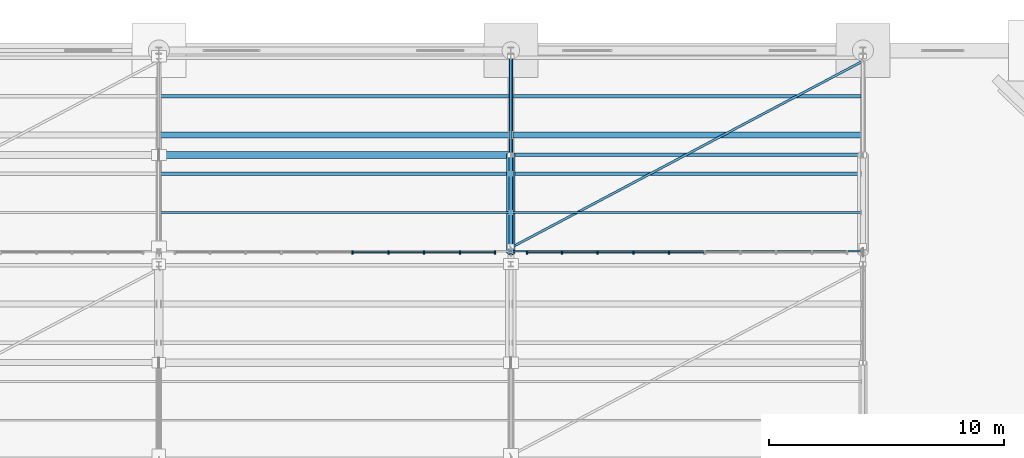
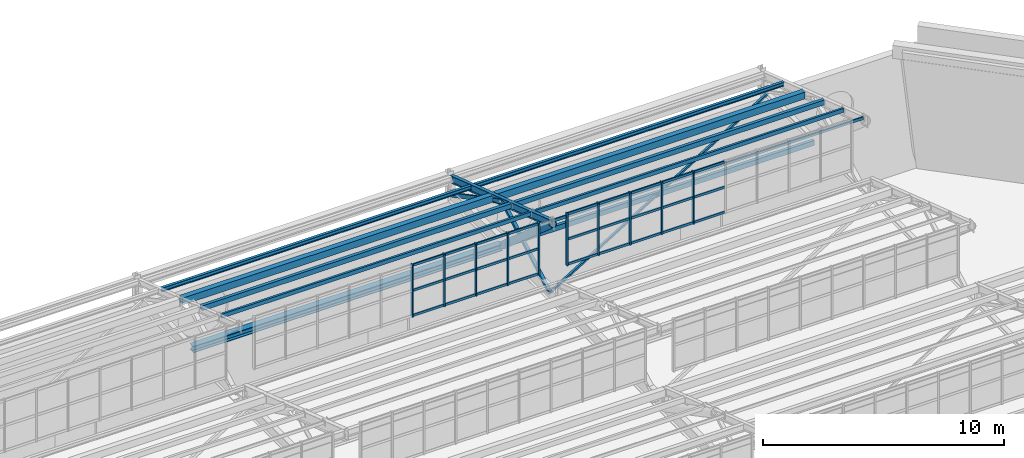
# One storey, part 137 of 285: 43 members, 10 beams, 2 elements without a shape of their own.
"""IFC4 building model written with IfcOpenShell, lengths in metres."""

from ifc_helpers import new_model, si_unit, direction, frame, origin, origin_2d, place, context, subcontext, project, spatial, rectangle, hollow_rectangle, hollow_circle, i_section, extrude, material, material_profile, profile_set, type_object, element, aggregate, save


model = new_model("IFC4")

# Units and contexts
model_context = context("Model", 3, precision=1e-05, world=origin(), true_north=direction((0.0, 1.0)))
body_context = subcontext(model_context, "Body", "Model", "MODEL_VIEW")
ifc_project = project(units=[si_unit("LENGTHUNIT", "METRE"), si_unit("AREAUNIT", "SQUARE_METRE"), si_unit("VOLUMEUNIT", "CUBIC_METRE"), si_unit("PLANEANGLEUNIT", "RADIAN"), si_unit("MASSUNIT", "GRAM", prefix="KILO")], contexts=[model_context])

# Site, building, storey
site_placement = place(None, origin())
site = spatial("IfcSite", under=ifc_project, at=site_placement, CompositionType="ELEMENT")
building_placement = place(site_placement, origin())
building = spatial("IfcBuilding", under=site, at=building_placement, Name="Solanera Park Tramway Depot", CompositionType="ELEMENT")
storey_placement = place(building_placement, origin())
storey = spatial("IfcBuildingStorey", under=building, at=storey_placement, Name="L00", CompositionType="ELEMENT", Elevation=0.0)

# Curtain wall, members
ifc_material_1 = material(Name="Bronze-anodised thermally broken aluminium curtain wall", Category="aluminium")
curtain_wall_type = type_object("IfcCurtainWallType", Name="Sawtooth Clerestory Monitor Curtain Wall", PredefinedType="NOTDEFINED", material=ifc_material_1)
curtain_wall_1_placement = place(storey_placement, origin())
curtain_wall_1 = element("IfcCurtainWall", 1, at=curtain_wall_1_placement, inside=storey, type_object=curtain_wall_type, Name="L00 Sawtooth Clerestory Monitor Curtain Wall #070", PredefinedType="NOTDEFINED")
ifc_material_2 = material(Name="Bronze-anodised structural aluminium 6063-T6", Category="aluminium")
ifc_material_profile_1 = material_profile(ifc_material_2, rectangle(XDim=0.06494140625, YDim=0.14990234375, at=origin_2d()), Name="Curtain Wall Mullion 65x150")
ifc_profile_set_1 = profile_set([ifc_material_profile_1], Name="Bronze-anodised structural aluminium 6063-T6")
member_type_1 = type_object("IfcMemberType", Name="Curtain Wall Mullion 65x150", PredefinedType="MULLION", material=ifc_profile_set_1)
member_1_placement = place(storey_placement, frame((113.260986328125, 135.39990234375, 7.75), z_axis=(0.0, 0.0, 1.0), x_axis=(1.0, 0.0, 0.0)))
member_1 = element("IfcMember", 2, at=member_1_placement, type_object=member_type_1, Name="CW-L00-070 Mullion 6", PredefinedType="MULLION", context=body_context, shape_type="SweptSolid", body=[
    extrude(rectangle(XDim=0.06494140625, YDim=0.14990234375, at=origin_2d()), origin(), (0.0, 0.0, 1.0), 2.6611328125),
])
member_2_placement = place(storey_placement, frame((114.783203125, 135.39990234375, 7.75), z_axis=(0.0, 0.0, 1.0), x_axis=(1.0, 0.0, 0.0)))
member_2 = element("IfcMember", 3, at=member_2_placement, type_object=member_type_1, Name="CW-L00-070 Mullion 7", PredefinedType="MULLION", context=body_context, shape_type="SweptSolid", body=[
    extrude(rectangle(XDim=0.06494140625, YDim=0.14990234375, at=origin_2d()), origin(), (0.0, 0.0, 1.0), 2.6611328125),
])
member_3_placement = place(storey_placement, frame((116.3056640625, 135.39990234375, 7.75), z_axis=(0.0, 0.0, 1.0), x_axis=(1.0, 0.0, 0.0)))
member_3 = element("IfcMember", 4, at=member_3_placement, type_object=member_type_1, Name="CW-L00-070 Mullion 8", PredefinedType="MULLION", context=body_context, shape_type="SweptSolid", body=[
    extrude(rectangle(XDim=0.06494140625, YDim=0.14990234375, at=origin_2d()), origin(), (0.0, 0.0, 1.0), 2.6611328125),
])
member_4_placement = place(storey_placement, frame((117.827880859375, 135.39990234375, 7.75), z_axis=(0.0, 0.0, 1.0), x_axis=(1.0, 0.0, 0.0)))
member_4 = element("IfcMember", 5, at=member_4_placement, type_object=member_type_1, Name="CW-L00-070 Mullion 9", PredefinedType="MULLION", context=body_context, shape_type="SweptSolid", body=[
    extrude(rectangle(XDim=0.06494140625, YDim=0.14990234375, at=origin_2d()), origin(), (0.0, 0.0, 1.0), 2.6611328125),
])
member_5_placement = place(storey_placement, frame((119.3173828125, 135.39990234375, 7.75), z_axis=(0.0, 0.0, 1.0), x_axis=(1.0, 0.0, 0.0)))
member_5 = element("IfcMember", 6, at=member_5_placement, type_object=member_type_1, Name="CW-L00-070 Mullion 10", PredefinedType="MULLION", context=body_context, shape_type="SweptSolid", body=[
    extrude(rectangle(XDim=0.06494140625, YDim=0.14990234375, at=origin_2d()), origin(), (0.0, 0.0, 1.0), 2.6611328125),
])

curtain_wall_2_placement = place(storey_placement, origin())
curtain_wall_2 = element("IfcCurtainWall", 7, at=curtain_wall_2_placement, inside=storey, type_object=curtain_wall_type, Name="L00 Sawtooth Clerestory Monitor Curtain Wall #071", PredefinedType="NOTDEFINED")
member_6_placement = place(storey_placement, frame((120.6826171875, 135.39990234375, 7.75), z_axis=(0.0, 0.0, 1.0), x_axis=(1.0, 0.0, 0.0)))
member_6 = element("IfcMember", 8, at=member_6_placement, type_object=member_type_1, Name="CW-L00-071 Mullion 1", PredefinedType="MULLION", context=body_context, shape_type="SweptSolid", body=[
    extrude(rectangle(XDim=0.06494140625, YDim=0.14990234375, at=origin_2d()), origin(), (0.0, 0.0, 1.0), 2.6611328125),
])
member_7_placement = place(storey_placement, frame((122.172119140625, 135.39990234375, 7.75), z_axis=(0.0, 0.0, 1.0), x_axis=(1.0, 0.0, 0.0)))
member_7 = element("IfcMember", 9, at=member_7_placement, type_object=member_type_1, Name="CW-L00-071 Mullion 2", PredefinedType="MULLION", context=body_context, shape_type="SweptSolid", body=[
    extrude(rectangle(XDim=0.06494140625, YDim=0.14990234375, at=origin_2d()), origin(), (0.0, 0.0, 1.0), 2.6611328125),
])
member_8_placement = place(storey_placement, frame((123.6943359375, 135.39990234375, 7.75), z_axis=(0.0, 0.0, 1.0), x_axis=(1.0, 0.0, 0.0)))
member_8 = element("IfcMember", 10, at=member_8_placement, type_object=member_type_1, Name="CW-L00-071 Mullion 3", PredefinedType="MULLION", context=body_context, shape_type="SweptSolid", body=[
    extrude(rectangle(XDim=0.06494140625, YDim=0.14990234375, at=origin_2d()), origin(), (0.0, 0.0, 1.0), 2.6611328125),
])
member_9_placement = place(storey_placement, frame((125.216796875, 135.39990234375, 7.75), z_axis=(0.0, 0.0, 1.0), x_axis=(1.0, 0.0, 0.0)))
member_9 = element("IfcMember", 11, at=member_9_placement, type_object=member_type_1, Name="CW-L00-071 Mullion 4", PredefinedType="MULLION", context=body_context, shape_type="SweptSolid", body=[
    extrude(rectangle(XDim=0.06494140625, YDim=0.14990234375, at=origin_2d()), origin(), (0.0, 0.0, 1.0), 2.6611328125),
])
member_10_placement = place(storey_placement, frame((126.739013671875, 135.39990234375, 7.75), z_axis=(0.0, 0.0, 1.0), x_axis=(1.0, 0.0, 0.0)))
member_10 = element("IfcMember", 12, at=member_10_placement, type_object=member_type_1, Name="CW-L00-071 Mullion 5", PredefinedType="MULLION", context=body_context, shape_type="SweptSolid", body=[
    extrude(rectangle(XDim=0.06494140625, YDim=0.14990234375, at=origin_2d()), origin(), (0.0, 0.0, 1.0), 2.6611328125),
])

# Member
ifc_material_3 = material(Name="Bronze-anodised structural aluminium 6063-T6", Category="aluminium")
ifc_material_profile_2 = material_profile(ifc_material_3, rectangle(XDim=0.06494140625, YDim=0.1201171875, at=origin_2d()), Name="Curtain Wall Transom 65x120")
ifc_profile_set_2 = profile_set([ifc_material_profile_2], Name="Bronze-anodised structural aluminium 6063-T6")
member_type_2 = type_object("IfcMemberType", Name="Curtain Wall Transom 65x120", PredefinedType="USERDEFINED", material=ifc_profile_set_2)
member_11_placement = place(storey_placement, frame((113.2890625, 135.39990234375, 7.81005859375), z_axis=(1.0, 0.0, 0.0), x_axis=(0.0, 1.0, 0.0)))
member_11 = element("IfcMember", 13, at=member_11_placement, type_object=member_type_2, Name="CW-L00-070 Transom R1.C6", ObjectType="TRANSOM", PredefinedType="USERDEFINED", context=body_context, shape_type="SweptSolid", body=[
    extrude(rectangle(XDim=0.06494140625, YDim=0.1201171875, at=origin_2d()), origin(), (0.0, 0.0, 1.0), 1.46630859375),
])

member_12_placement = place(storey_placement, frame((114.811279296875, 135.39990234375, 7.81005859375), z_axis=(1.0, 0.0, 0.0), x_axis=(0.0, 1.0, 0.0)))
member_12 = element("IfcMember", 14, at=member_12_placement, type_object=member_type_2, Name="CW-L00-070 Transom R1.C7", ObjectType="TRANSOM", PredefinedType="USERDEFINED", context=body_context, shape_type="SweptSolid", body=[
    extrude(rectangle(XDim=0.06494140625, YDim=0.1201171875, at=origin_2d()), origin(), (0.0, 0.0, 1.0), 1.46630859375),
])

member_13_placement = place(storey_placement, frame((116.33349609375, 135.39990234375, 7.81005859375), z_axis=(1.0, 0.0, 0.0), x_axis=(0.0, 1.0, 0.0)))
member_13 = element("IfcMember", 15, at=member_13_placement, type_object=member_type_2, Name="CW-L00-070 Transom R1.C8", ObjectType="TRANSOM", PredefinedType="USERDEFINED", context=body_context, shape_type="SweptSolid", body=[
    extrude(rectangle(XDim=0.06494140625, YDim=0.1201171875, at=origin_2d()), origin(), (0.0, 0.0, 1.0), 1.46630859375),
])

member_14_placement = place(storey_placement, frame((117.855712890625, 135.39990234375, 7.81005859375), z_axis=(1.0, 0.0, 0.0), x_axis=(0.0, 1.0, 0.0)))
member_14 = element("IfcMember", 16, at=member_14_placement, type_object=member_type_2, Name="CW-L00-070 Transom R1.C9", ObjectType="TRANSOM", PredefinedType="USERDEFINED", context=body_context, shape_type="SweptSolid", body=[
    extrude(rectangle(XDim=0.06494140625, YDim=0.1201171875, at=origin_2d()), origin(), (0.0, 0.0, 1.0), 1.433837890625),
])

member_15_placement = place(storey_placement, frame((113.2890625, 135.39990234375, 9.08056640625), z_axis=(1.0, 0.0, 0.0), x_axis=(0.0, 1.0, 0.0)))
member_15 = element("IfcMember", 17, at=member_15_placement, type_object=member_type_2, Name="CW-L00-070 Transom R2.C6", ObjectType="TRANSOM", PredefinedType="USERDEFINED", context=body_context, shape_type="SweptSolid", body=[
    extrude(rectangle(XDim=0.06494140625, YDim=0.1201171875, at=origin_2d()), origin(), (0.0, 0.0, 1.0), 1.46630859375),
])

member_16_placement = place(storey_placement, frame((114.811279296875, 135.39990234375, 9.08056640625), z_axis=(1.0, 0.0, 0.0), x_axis=(0.0, 1.0, 0.0)))
member_16 = element("IfcMember", 18, at=member_16_placement, type_object=member_type_2, Name="CW-L00-070 Transom R2.C7", ObjectType="TRANSOM", PredefinedType="USERDEFINED", context=body_context, shape_type="SweptSolid", body=[
    extrude(rectangle(XDim=0.06494140625, YDim=0.1201171875, at=origin_2d()), origin(), (0.0, 0.0, 1.0), 1.46630859375),
])

member_17_placement = place(storey_placement, frame((116.33349609375, 135.39990234375, 9.08056640625), z_axis=(1.0, 0.0, 0.0), x_axis=(0.0, 1.0, 0.0)))
member_17 = element("IfcMember", 19, at=member_17_placement, type_object=member_type_2, Name="CW-L00-070 Transom R2.C8", ObjectType="TRANSOM", PredefinedType="USERDEFINED", context=body_context, shape_type="SweptSolid", body=[
    extrude(rectangle(XDim=0.06494140625, YDim=0.1201171875, at=origin_2d()), origin(), (0.0, 0.0, 1.0), 1.46630859375),
])

member_18_placement = place(storey_placement, frame((117.855712890625, 135.39990234375, 9.08056640625), z_axis=(1.0, 0.0, 0.0), x_axis=(0.0, 1.0, 0.0)))
member_18 = element("IfcMember", 20, at=member_18_placement, type_object=member_type_2, Name="CW-L00-070 Transom R2.C9", ObjectType="TRANSOM", PredefinedType="USERDEFINED", context=body_context, shape_type="SweptSolid", body=[
    extrude(rectangle(XDim=0.06494140625, YDim=0.1201171875, at=origin_2d()), origin(), (0.0, 0.0, 1.0), 1.433837890625),
])

member_19_placement = place(storey_placement, frame((113.2890625, 135.39990234375, 10.351318359375), z_axis=(1.0, 0.0, 0.0), x_axis=(0.0, 1.0, 0.0)))
member_19 = element("IfcMember", 21, at=member_19_placement, type_object=member_type_2, Name="CW-L00-070 Transom R3.C6", ObjectType="TRANSOM", PredefinedType="USERDEFINED", context=body_context, shape_type="SweptSolid", body=[
    extrude(rectangle(XDim=0.06494140625, YDim=0.1201171875, at=origin_2d()), origin(), (0.0, 0.0, 1.0), 1.46630859375),
])

member_20_placement = place(storey_placement, frame((114.811279296875, 135.39990234375, 10.351318359375), z_axis=(1.0, 0.0, 0.0), x_axis=(0.0, 1.0, 0.0)))
member_20 = element("IfcMember", 22, at=member_20_placement, type_object=member_type_2, Name="CW-L00-070 Transom R3.C7", ObjectType="TRANSOM", PredefinedType="USERDEFINED", context=body_context, shape_type="SweptSolid", body=[
    extrude(rectangle(XDim=0.06494140625, YDim=0.1201171875, at=origin_2d()), origin(), (0.0, 0.0, 1.0), 1.46630859375),
])

member_21_placement = place(storey_placement, frame((116.33349609375, 135.39990234375, 10.351318359375), z_axis=(1.0, 0.0, 0.0), x_axis=(0.0, 1.0, 0.0)))
member_21 = element("IfcMember", 23, at=member_21_placement, type_object=member_type_2, Name="CW-L00-070 Transom R3.C8", ObjectType="TRANSOM", PredefinedType="USERDEFINED", context=body_context, shape_type="SweptSolid", body=[
    extrude(rectangle(XDim=0.06494140625, YDim=0.1201171875, at=origin_2d()), origin(), (0.0, 0.0, 1.0), 1.46630859375),
])

member_22_placement = place(storey_placement, frame((117.855712890625, 135.39990234375, 10.351318359375), z_axis=(1.0, 0.0, 0.0), x_axis=(0.0, 1.0, 0.0)))
member_22 = element("IfcMember", 24, at=member_22_placement, type_object=member_type_2, Name="CW-L00-070 Transom R3.C9", ObjectType="TRANSOM", PredefinedType="USERDEFINED", context=body_context, shape_type="SweptSolid", body=[
    extrude(rectangle(XDim=0.06494140625, YDim=0.1201171875, at=origin_2d()), origin(), (0.0, 0.0, 1.0), 1.433837890625),
])

aggregate(curtain_wall_1, [member_1, member_2, member_3, member_4, member_5, member_11, member_12, member_13, member_14, member_15, member_16, member_17, member_18, member_19, member_20, member_21, member_22])

member_23_placement = place(storey_placement, frame((120.71044921875, 135.39990234375, 7.81005859375), z_axis=(1.0, 0.0, 0.0), x_axis=(0.0, 1.0, 0.0)))
member_23 = element("IfcMember", 25, at=member_23_placement, type_object=member_type_2, Name="CW-L00-071 Transom R1.C1", ObjectType="TRANSOM", PredefinedType="USERDEFINED", context=body_context, shape_type="SweptSolid", body=[
    extrude(rectangle(XDim=0.06494140625, YDim=0.1201171875, at=origin_2d()), origin(), (0.0, 0.0, 1.0), 1.433837890625),
])

member_24_placement = place(storey_placement, frame((122.2001953125, 135.39990234375, 7.81005859375), z_axis=(1.0, 0.0, 0.0), x_axis=(0.0, 1.0, 0.0)))
member_24 = element("IfcMember", 26, at=member_24_placement, type_object=member_type_2, Name="CW-L00-071 Transom R1.C2", ObjectType="TRANSOM", PredefinedType="USERDEFINED", context=body_context, shape_type="SweptSolid", body=[
    extrude(rectangle(XDim=0.06494140625, YDim=0.1201171875, at=origin_2d()), origin(), (0.0, 0.0, 1.0), 1.46630859375),
])

member_25_placement = place(storey_placement, frame((123.722412109375, 135.39990234375, 7.81005859375), z_axis=(1.0, 0.0, 0.0), x_axis=(0.0, 1.0, 0.0)))
member_25 = element("IfcMember", 27, at=member_25_placement, type_object=member_type_2, Name="CW-L00-071 Transom R1.C3", ObjectType="TRANSOM", PredefinedType="USERDEFINED", context=body_context, shape_type="SweptSolid", body=[
    extrude(rectangle(XDim=0.06494140625, YDim=0.1201171875, at=origin_2d()), origin(), (0.0, 0.0, 1.0), 1.46630859375),
])

member_26_placement = place(storey_placement, frame((125.24462890625, 135.39990234375, 7.81005859375), z_axis=(1.0, 0.0, 0.0), x_axis=(0.0, 1.0, 0.0)))
member_26 = element("IfcMember", 28, at=member_26_placement, type_object=member_type_2, Name="CW-L00-071 Transom R1.C4", ObjectType="TRANSOM", PredefinedType="USERDEFINED", context=body_context, shape_type="SweptSolid", body=[
    extrude(rectangle(XDim=0.06494140625, YDim=0.1201171875, at=origin_2d()), origin(), (0.0, 0.0, 1.0), 1.46630859375),
])

member_27_placement = place(storey_placement, frame((126.766845703125, 135.39990234375, 7.81005859375), z_axis=(1.0, 0.0, 0.0), x_axis=(0.0, 1.0, 0.0)))
member_27 = element("IfcMember", 29, at=member_27_placement, type_object=member_type_2, Name="CW-L00-071 Transom R1.C5", ObjectType="TRANSOM", PredefinedType="USERDEFINED", context=body_context, shape_type="SweptSolid", body=[
    extrude(rectangle(XDim=0.06494140625, YDim=0.1201171875, at=origin_2d()), origin(), (0.0, 0.0, 1.0), 1.46630859375),
])

member_28_placement = place(storey_placement, frame((120.71044921875, 135.39990234375, 9.08056640625), z_axis=(1.0, 0.0, 0.0), x_axis=(0.0, 1.0, 0.0)))
member_28 = element("IfcMember", 30, at=member_28_placement, type_object=member_type_2, Name="CW-L00-071 Transom R2.C1", ObjectType="TRANSOM", PredefinedType="USERDEFINED", context=body_context, shape_type="SweptSolid", body=[
    extrude(rectangle(XDim=0.06494140625, YDim=0.1201171875, at=origin_2d()), origin(), (0.0, 0.0, 1.0), 1.433837890625),
])

member_29_placement = place(storey_placement, frame((122.2001953125, 135.39990234375, 9.08056640625), z_axis=(1.0, 0.0, 0.0), x_axis=(0.0, 1.0, 0.0)))
member_29 = element("IfcMember", 31, at=member_29_placement, type_object=member_type_2, Name="CW-L00-071 Transom R2.C2", ObjectType="TRANSOM", PredefinedType="USERDEFINED", context=body_context, shape_type="SweptSolid", body=[
    extrude(rectangle(XDim=0.06494140625, YDim=0.1201171875, at=origin_2d()), origin(), (0.0, 0.0, 1.0), 1.46630859375),
])

member_30_placement = place(storey_placement, frame((123.722412109375, 135.39990234375, 9.08056640625), z_axis=(1.0, 0.0, 0.0), x_axis=(0.0, 1.0, 0.0)))
member_30 = element("IfcMember", 32, at=member_30_placement, type_object=member_type_2, Name="CW-L00-071 Transom R2.C3", ObjectType="TRANSOM", PredefinedType="USERDEFINED", context=body_context, shape_type="SweptSolid", body=[
    extrude(rectangle(XDim=0.06494140625, YDim=0.1201171875, at=origin_2d()), origin(), (0.0, 0.0, 1.0), 1.46630859375),
])

member_31_placement = place(storey_placement, frame((125.24462890625, 135.39990234375, 9.08056640625), z_axis=(1.0, 0.0, 0.0), x_axis=(0.0, 1.0, 0.0)))
member_31 = element("IfcMember", 33, at=member_31_placement, type_object=member_type_2, Name="CW-L00-071 Transom R2.C4", ObjectType="TRANSOM", PredefinedType="USERDEFINED", context=body_context, shape_type="SweptSolid", body=[
    extrude(rectangle(XDim=0.06494140625, YDim=0.1201171875, at=origin_2d()), origin(), (0.0, 0.0, 1.0), 1.46630859375),
])

member_32_placement = place(storey_placement, frame((126.766845703125, 135.39990234375, 9.08056640625), z_axis=(1.0, 0.0, 0.0), x_axis=(0.0, 1.0, 0.0)))
member_32 = element("IfcMember", 34, at=member_32_placement, type_object=member_type_2, Name="CW-L00-071 Transom R2.C5", ObjectType="TRANSOM", PredefinedType="USERDEFINED", context=body_context, shape_type="SweptSolid", body=[
    extrude(rectangle(XDim=0.06494140625, YDim=0.1201171875, at=origin_2d()), origin(), (0.0, 0.0, 1.0), 1.46630859375),
])

member_33_placement = place(storey_placement, frame((120.71044921875, 135.39990234375, 10.351318359375), z_axis=(1.0, 0.0, 0.0), x_axis=(0.0, 1.0, 0.0)))
member_33 = element("IfcMember", 35, at=member_33_placement, type_object=member_type_2, Name="CW-L00-071 Transom R3.C1", ObjectType="TRANSOM", PredefinedType="USERDEFINED", context=body_context, shape_type="SweptSolid", body=[
    extrude(rectangle(XDim=0.06494140625, YDim=0.1201171875, at=origin_2d()), origin(), (0.0, 0.0, 1.0), 1.433837890625),
])

member_34_placement = place(storey_placement, frame((122.2001953125, 135.39990234375, 10.351318359375), z_axis=(1.0, 0.0, 0.0), x_axis=(0.0, 1.0, 0.0)))
member_34 = element("IfcMember", 36, at=member_34_placement, type_object=member_type_2, Name="CW-L00-071 Transom R3.C2", ObjectType="TRANSOM", PredefinedType="USERDEFINED", context=body_context, shape_type="SweptSolid", body=[
    extrude(rectangle(XDim=0.06494140625, YDim=0.1201171875, at=origin_2d()), origin(), (0.0, 0.0, 1.0), 1.46630859375),
])

member_35_placement = place(storey_placement, frame((123.722412109375, 135.39990234375, 10.351318359375), z_axis=(1.0, 0.0, 0.0), x_axis=(0.0, 1.0, 0.0)))
member_35 = element("IfcMember", 37, at=member_35_placement, type_object=member_type_2, Name="CW-L00-071 Transom R3.C3", ObjectType="TRANSOM", PredefinedType="USERDEFINED", context=body_context, shape_type="SweptSolid", body=[
    extrude(rectangle(XDim=0.06494140625, YDim=0.1201171875, at=origin_2d()), origin(), (0.0, 0.0, 1.0), 1.46630859375),
])

member_36_placement = place(storey_placement, frame((125.24462890625, 135.39990234375, 10.351318359375), z_axis=(1.0, 0.0, 0.0), x_axis=(0.0, 1.0, 0.0)))
member_36 = element("IfcMember", 38, at=member_36_placement, type_object=member_type_2, Name="CW-L00-071 Transom R3.C4", ObjectType="TRANSOM", PredefinedType="USERDEFINED", context=body_context, shape_type="SweptSolid", body=[
    extrude(rectangle(XDim=0.06494140625, YDim=0.1201171875, at=origin_2d()), origin(), (0.0, 0.0, 1.0), 1.46630859375),
])

member_37_placement = place(storey_placement, frame((126.766845703125, 135.39990234375, 10.351318359375), z_axis=(1.0, 0.0, 0.0), x_axis=(0.0, 1.0, 0.0)))
member_37 = element("IfcMember", 39, at=member_37_placement, type_object=member_type_2, Name="CW-L00-071 Transom R3.C5", ObjectType="TRANSOM", PredefinedType="USERDEFINED", context=body_context, shape_type="SweptSolid", body=[
    extrude(rectangle(XDim=0.06494140625, YDim=0.1201171875, at=origin_2d()), origin(), (0.0, 0.0, 1.0), 1.46630859375),
])

aggregate(curtain_wall_2, [member_6, member_7, member_8, member_9, member_10, member_23, member_24, member_25, member_26, member_27, member_28, member_29, member_30, member_31, member_32, member_33, member_34, member_35, member_36, member_37])

# Members
ifc_material_4 = material(Name="Steel AS/NZS 1163 Grade C350L0", Category="steel")
ifc_material_profile_3 = material_profile(ifc_material_4, hollow_rectangle(XDim=0.14990234375, YDim=0.14990234375, WallThickness=0.006103515625, at=origin_2d()), Name="150x150x6.0 SHS")
ifc_profile_set_3 = profile_set([ifc_material_profile_3], Name="Steel AS/NZS 1163 Grade C350L0")
member_type_3 = type_object("IfcMemberType", Name="Roof Gantry Compression Strut 150x150x6.0 SHS", PredefinedType="STRUT", material=ifc_profile_set_3)
member_38_placement = place(storey_placement, frame((120.0, 135.64990234375, 6.5), z_axis=(0.0, 0.869215843308, 0.494432824297), x_axis=(-1.0, 0.0, 0.0)))
element("IfcMember", 40, at=member_38_placement, inside=storey, type_object=member_type_3, Name="Sawtooth ROOF TRUSS Strut 150x150x6.0 SHS #0421", PredefinedType="STRUT", context=body_context, shape_type="SweptSolid", body=[
    extrude(hollow_rectangle(XDim=0.14990234375, YDim=0.14990234375, WallThickness=0.006103515625, at=origin_2d()), origin(), (0.0, 0.0, 1.0), 4.487060546875),
])
ifc_material_5 = material(Name="Steel AS/NZS 1163 Grade C350L0", Category="steel")
ifc_material_profile_4 = material_profile(ifc_material_5, hollow_rectangle(XDim=0.14990234375, YDim=0.25, WallThickness=0.008056640625, at=origin_2d()), Name="250x150x8.0 RHS")
ifc_profile_set_4 = profile_set([ifc_material_profile_4], Name="Steel AS/NZS 1163 Grade C350L0")
member_type_4 = type_object("IfcMemberType", Name="Secondary Truss Chord 250x150x8.0 RHS", PredefinedType="CHORD", material=ifc_profile_set_4)
member_39_placement = place(storey_placement, frame((120.087890625, 139.550048828125, 6.5), z_axis=(1.0, 0.0, 0.0), x_axis=(0.0, 1.0, 0.0)))
element("IfcMember", 41, at=member_39_placement, inside=storey, type_object=member_type_4, Name="Sawtooth Longitudinal Tie Chord 250x150x8.0 RHS #0433", PredefinedType="CHORD", context=body_context, shape_type="SweptSolid", body=[
    extrude(hollow_rectangle(XDim=0.14990234375, YDim=0.25, WallThickness=0.008056640625, at=origin_2d()), origin(), (0.0, 0.0, 1.0), 14.82421875),
])
ifc_material_6 = material(Name="Steel AS/NZS 3679.1 Grade 350", Category="steel")
ifc_material_profile_5 = material_profile(ifc_material_6, i_section(OverallWidth=0.310546875, OverallDepth=0.3271484375, WebThickness=0.015625, FlangeThickness=0.02490234375, at=origin_2d()), Name="310UC158")
ifc_profile_set_5 = profile_set([ifc_material_profile_5], Name="Steel AS/NZS 3679.1 Grade 350")
member_type_5 = type_object("IfcMemberType", Name="Secondary Truss Chord 310UC158", PredefinedType="CHORD", material=ifc_profile_set_5)
member_40_placement = place(storey_placement, frame((105.087890625, 139.550048828125, 6.5), z_axis=(1.0, 0.0, 0.0), x_axis=(0.0, 1.0, 0.0)))
element("IfcMember", 42, at=member_40_placement, inside=storey, type_object=member_type_5, Name="Sawtooth Longitudinal Tie Chord 310UC158 #0432", PredefinedType="CHORD", context=body_context, shape_type="SweptSolid", body=[
    extrude(i_section(OverallWidth=0.310546875, OverallDepth=0.3271484375, WebThickness=0.015625, FlangeThickness=0.02490234375, at=origin_2d()), origin(), (0.0, 0.0, 1.0), 14.82421875),
])

# Beams
ifc_material_7 = material(Name="Steel AS/NZS 3679.1 Grade 350", Category="steel")
ifc_material_profile_6 = material_profile(ifc_material_7, i_section(OverallWidth=0.17138671875, OverallDepth=0.355712890625, WebThickness=0.00732421875, FlangeThickness=0.011474609375, at=origin_2d()), Name="360UB50.7")
ifc_profile_set_6 = profile_set([ifc_material_profile_6], Name="Steel AS/NZS 3679.1 Grade 350")
beam_type_1 = type_object("IfcBeamType", Name="Steel Beam 360UB50.7", PredefinedType="BEAM", material=ifc_profile_set_6)
beam_1_placement = place(storey_placement, frame((120.0, 135.39990234375, 10.10693359375), z_axis=(0.0, 0.948322229475, -0.317308917435), x_axis=(-1.0, 0.0, 0.0)))
element("IfcBeam", 43, at=beam_1_placement, inside=storey, type_object=beam_type_1, Name="Sawtooth ROOF TRUSS Top Rafter 360UB50.7 B10-T7", PredefinedType="BEAM", context=body_context, shape_type="SweptSolid", body=[
    extrude(i_section(OverallWidth=0.17138671875, OverallDepth=0.355712890625, WebThickness=0.00732421875, FlangeThickness=0.011474609375, at=origin_2d()), origin(), (0.0, 0.0, 1.0), 8.80517578125),
])
ifc_material_8 = material(Name="Steel AS/NZS 1163 Grade C350L0", Category="steel")
ifc_material_profile_7 = material_profile(ifc_material_8, hollow_rectangle(XDim=0.050048828125, YDim=0.14990234375, WallThickness=0.0048828125, at=origin_2d()), Name="150x50x5.0 RHS")
ifc_profile_set_7 = profile_set([ifc_material_profile_7], Name="Steel AS/NZS 1163 Grade C350L0")
beam_type_2 = type_object("IfcBeamType", Name="Steel Joist Purlin 150x50x5.0 RHS", PredefinedType="JOIST", material=ifc_profile_set_7)
beam_2_placement = place(storey_placement, frame((120.077880859375, 135.449951171875, 10.206787109375), z_axis=(1.0, 0.0, 0.0), x_axis=(0.0, 1.0, 0.0)))
element("IfcBeam", 44, at=beam_2_placement, inside=storey, type_object=beam_type_2, Name="Sawtooth Roof Purlin 150x50x5.0 RHS B10.1", PredefinedType="JOIST", context=body_context, shape_type="SweptSolid", body=[
    extrude(hollow_rectangle(XDim=0.050048828125, YDim=0.14990234375, WallThickness=0.0048828125, at=origin_2d()), origin(), (0.0, 0.0, 1.0), 14.84130859375),
])
ifc_material_9 = material(Name="Steel AS/NZS 3679.1 Grade 350", Category="steel")
ifc_material_profile_8 = material_profile(ifc_material_9, i_section(OverallWidth=0.13330078125, OverallDepth=0.203125, WebThickness=0.005859375, FlangeThickness=0.0078125, at=origin_2d()), Name="200UB25.4")
ifc_profile_set_8 = profile_set([ifc_material_profile_8], Name="Steel AS/NZS 3679.1 Grade 350")
beam_type_3 = type_object("IfcBeamType", Name="Steel Joist Purlin 200UB25.4", PredefinedType="JOIST", material=ifc_profile_set_8)
beam_3_placement = place(storey_placement, frame((105.074951171875, 142.050048828125, 7.9580078125), z_axis=(1.0, 0.0, 0.0), x_axis=(0.0, 1.0, 0.0)))
element("IfcBeam", 45, at=beam_3_placement, inside=storey, type_object=beam_type_3, Name="Sawtooth Roof Purlin 200UB25.4 B10.5", PredefinedType="JOIST", context=body_context, shape_type="SweptSolid", body=[
    extrude(i_section(OverallWidth=0.13330078125, OverallDepth=0.203125, WebThickness=0.005859375, FlangeThickness=0.0078125, at=origin_2d()), origin(), (0.0, 0.0, 1.0), 14.84716796875),
])
beam_4_placement = place(storey_placement, frame((120.077880859375, 142.050048828125, 7.9580078125), z_axis=(1.0, 0.0, 0.0), x_axis=(0.0, 1.0, 0.0)))
element("IfcBeam", 46, at=beam_4_placement, inside=storey, type_object=beam_type_3, Name="Sawtooth Roof Purlin 200UB25.4 B10.5", PredefinedType="JOIST", context=body_context, shape_type="SweptSolid", body=[
    extrude(i_section(OverallWidth=0.13330078125, OverallDepth=0.203125, WebThickness=0.005859375, FlangeThickness=0.0078125, at=origin_2d()), origin(), (0.0, 0.0, 1.0), 14.84130859375),
])
ifc_material_10 = material(Name="Steel AS/NZS 1163 Grade C350L0", Category="steel")
ifc_material_profile_9 = material_profile(ifc_material_10, hollow_rectangle(XDim=0.10009765625, YDim=0.199951171875, WallThickness=0.006103515625, at=origin_2d()), Name="200x100x6.0 RHS")
ifc_profile_set_9 = profile_set([ifc_material_profile_9], Name="Steel AS/NZS 1163 Grade C350L0")
beam_type_4 = type_object("IfcBeamType", Name="Steel Joist Purlin 200x100x6.0 RHS", PredefinedType="JOIST", material=ifc_profile_set_9)
beam_5_placement = place(storey_placement, frame((105.074951171875, 137.10009765625, 9.621337890625), z_axis=(1.0, 0.0, 0.0), x_axis=(0.0, 1.0, 0.0)))
element("IfcBeam", 47, at=beam_5_placement, inside=storey, type_object=beam_type_4, Name="Sawtooth Roof Purlin 200x100x6.0 RHS B10.2", PredefinedType="JOIST", context=body_context, shape_type="SweptSolid", body=[
    extrude(hollow_rectangle(XDim=0.10009765625, YDim=0.199951171875, WallThickness=0.006103515625, at=origin_2d()), origin(), (0.0, 0.0, 1.0), 14.84716796875),
])
beam_6_placement = place(storey_placement, frame((120.077880859375, 137.10009765625, 9.621337890625), z_axis=(1.0, 0.0, 0.0), x_axis=(0.0, 1.0, 0.0)))
element("IfcBeam", 48, at=beam_6_placement, inside=storey, type_object=beam_type_4, Name="Sawtooth Roof Purlin 200x100x6.0 RHS B10.2", PredefinedType="JOIST", context=body_context, shape_type="SweptSolid", body=[
    extrude(hollow_rectangle(XDim=0.10009765625, YDim=0.199951171875, WallThickness=0.006103515625, at=origin_2d()), origin(), (0.0, 0.0, 1.0), 14.84130859375),
])
ifc_material_11 = material(Name="Steel AS/NZS 1163 Grade C350L0", Category="steel")
ifc_material_profile_10 = material_profile(ifc_material_11, hollow_rectangle(XDim=0.14990234375, YDim=0.25, WallThickness=0.008056640625, at=origin_2d()), Name="250x150x8.0 RHS")
ifc_profile_set_10 = profile_set([ifc_material_profile_10], Name="Steel AS/NZS 1163 Grade C350L0")
beam_type_5 = type_object("IfcBeamType", Name="Steel Joist Purlin 250x150x8.0 RHS", PredefinedType="JOIST", material=ifc_profile_set_10)
beam_7_placement = place(storey_placement, frame((105.074951171875, 138.75, 9.035888671875), z_axis=(1.0, 0.0, 0.0), x_axis=(0.0, 1.0, 0.0)))
element("IfcBeam", 49, at=beam_7_placement, inside=storey, type_object=beam_type_5, Name="Sawtooth Roof Purlin 250x150x8.0 RHS B10.3", PredefinedType="JOIST", context=body_context, shape_type="SweptSolid", body=[
    extrude(hollow_rectangle(XDim=0.14990234375, YDim=0.25, WallThickness=0.008056640625, at=origin_2d()), origin(), (0.0, 0.0, 1.0), 14.84716796875),
])
beam_8_placement = place(storey_placement, frame((120.077880859375, 138.75, 9.035888671875), z_axis=(1.0, 0.0, 0.0), x_axis=(0.0, 1.0, 0.0)))
element("IfcBeam", 50, at=beam_8_placement, inside=storey, type_object=beam_type_5, Name="Sawtooth Roof Purlin 250x150x8.0 RHS B10.3", PredefinedType="JOIST", context=body_context, shape_type="SweptSolid", body=[
    extrude(hollow_rectangle(XDim=0.14990234375, YDim=0.25, WallThickness=0.008056640625, at=origin_2d()), origin(), (0.0, 0.0, 1.0), 14.84130859375),
])
ifc_material_12 = material(Name="Steel AS/NZS 1163 Grade C350L0", Category="steel")
ifc_material_profile_11 = material_profile(ifc_material_12, hollow_rectangle(XDim=0.25, YDim=0.35009765625, WallThickness=0.010009765625, at=origin_2d()), Name="350x250x10.0 RHS")
ifc_profile_set_11 = profile_set([ifc_material_profile_11], Name="Steel AS/NZS 1163 Grade C350L0")
beam_type_6 = type_object("IfcBeamType", Name="Steel Joist Purlin 350x250x10.0 RHS", PredefinedType="JOIST", material=ifc_profile_set_11)
beam_9_placement = place(storey_placement, frame((105.074951171875, 140.39990234375, 8.4169921875), z_axis=(1.0, 0.0, 0.0), x_axis=(0.0, 1.0, 0.0)))
element("IfcBeam", 51, at=beam_9_placement, inside=storey, type_object=beam_type_6, Name="Sawtooth Roof Purlin 350x250x10.0 RHS B10.4", PredefinedType="JOIST", context=body_context, shape_type="SweptSolid", body=[
    extrude(hollow_rectangle(XDim=0.25, YDim=0.35009765625, WallThickness=0.010009765625, at=origin_2d()), origin(), (0.0, 0.0, 1.0), 14.84716796875),
])
beam_10_placement = place(storey_placement, frame((120.077880859375, 140.39990234375, 8.4169921875), z_axis=(1.0, 0.0, 0.0), x_axis=(0.0, 1.0, 0.0)))
element("IfcBeam", 52, at=beam_10_placement, inside=storey, type_object=beam_type_6, Name="Sawtooth Roof Purlin 350x250x10.0 RHS B10.4", PredefinedType="JOIST", context=body_context, shape_type="SweptSolid", body=[
    extrude(hollow_rectangle(XDim=0.25, YDim=0.35009765625, WallThickness=0.010009765625, at=origin_2d()), origin(), (0.0, 0.0, 1.0), 14.84130859375),
])

# Members
ifc_material_13 = material(Name="Steel AS/NZS 1163 Grade C350L0", Category="steel")
ifc_material_profile_12 = material_profile(ifc_material_13, hollow_rectangle(XDim=0.10009765625, YDim=0.10009765625, WallThickness=0.0048828125, at=origin_2d()), Name="100x100x5.0 SHS")
ifc_profile_set_12 = profile_set([ifc_material_profile_12], Name="Steel AS/NZS 1163 Grade C350L0")
member_type_6 = type_object("IfcMemberType", Name="Truss and Frame Brace 100x100x5.0 SHS", PredefinedType="BRACE", material=ifc_profile_set_12)
member_41_placement = place(storey_placement, frame((120.001953125, 135.60009765625, 6.5), z_axis=(0.883523615038, 0.468386615598, 0.0), x_axis=(-0.468386615598, 0.883523615038, 0.0)))
element("IfcMember", 53, at=member_41_placement, inside=storey, type_object=member_type_6, Name="Roof Plane Cyclonic Brace 100x100x5.0 SHS #0434", PredefinedType="BRACE", context=body_context, shape_type="SweptSolid", body=[
    extrude(hollow_rectangle(XDim=0.10009765625, YDim=0.10009765625, WallThickness=0.0048828125, at=origin_2d()), origin(), (0.0, 0.0, 1.0), 16.97314453125),
])
ifc_material_14 = material(Name="Steel AS/NZS 1163 Grade C350L0", Category="steel")
ifc_material_profile_13 = material_profile(ifc_material_14, hollow_rectangle(XDim=0.10009765625, YDim=0.199951171875, WallThickness=0.006103515625, at=origin_2d()), Name="200x100x6.0 RHS")
ifc_profile_set_13 = profile_set([ifc_material_profile_13], Name="Steel AS/NZS 1163 Grade C350L0")
member_type_7 = type_object("IfcMemberType", Name="Truss and Frame Brace 200x100x6.0 RHS", PredefinedType="BRACE", material=ifc_profile_set_13)
member_42_placement = place(storey_placement, frame((120.0, 143.75, 6.5), z_axis=(0.0, -0.884222622593, 0.467065684561), x_axis=(1.0, 0.0, 0.0)))
element("IfcMember", 54, at=member_42_placement, inside=storey, type_object=member_type_7, Name="Sawtooth ROOF TRUSS Diagonal 200x100x6.0 RHS #0420", PredefinedType="BRACE", context=body_context, shape_type="SweptSolid", body=[
    extrude(hollow_rectangle(XDim=0.10009765625, YDim=0.199951171875, WallThickness=0.006103515625, at=origin_2d()), origin(), (0.0, 0.0, 1.0), 4.75),
])
ifc_material_15 = material(Name="Steel AS/NZS 1163 Grade C350L0", Category="steel")
ifc_material_profile_14 = material_profile(ifc_material_15, hollow_circle(Radius=0.177734375, WallThickness=0.0126953125, at=origin_2d()), Name="355.6x12.7 CHS")
ifc_profile_set_14 = profile_set([ifc_material_profile_14], Name="Steel AS/NZS 1163 Grade C350L0")
member_type_8 = type_object("IfcMemberType", Name="Truss and Frame Brace 355.6x12.7 CHS", PredefinedType="BRACE", material=ifc_profile_set_14)
member_43_placement = place(storey_placement, frame((120.0, 139.550048828125, 6.5), z_axis=(0.0, -0.754775645554, 0.655983021791), x_axis=(1.0, 0.0, 0.0)))
element("IfcMember", 55, at=member_43_placement, inside=storey, type_object=member_type_8, Name="Sawtooth ROOF TRUSS Web Brace 355.6x12.7 CHS #0419", PredefinedType="BRACE", context=body_context, shape_type="SweptSolid", body=[
    extrude(hollow_circle(Radius=0.177734375, WallThickness=0.0126953125, at=origin_2d()), origin(), (0.0, 0.0, 1.0), 5.49853515625),
])

save(model, "model.ifc")
